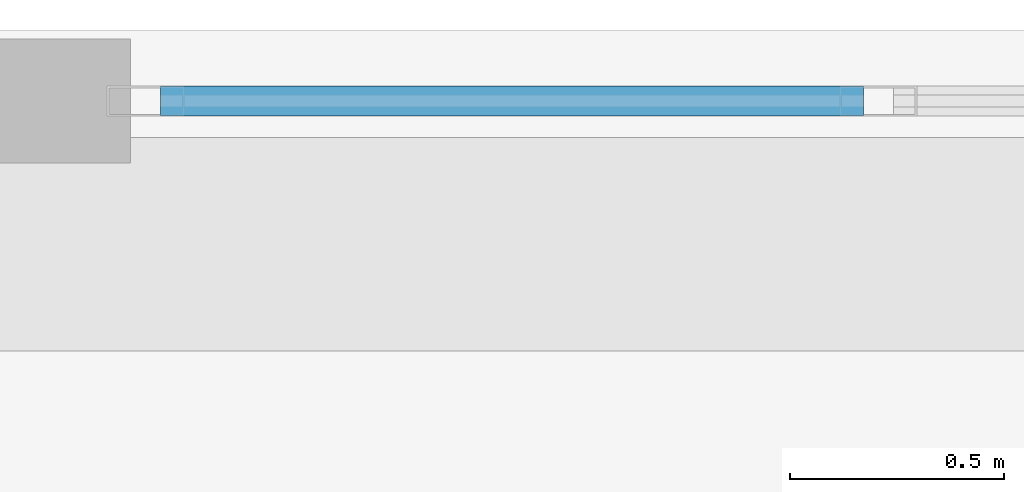
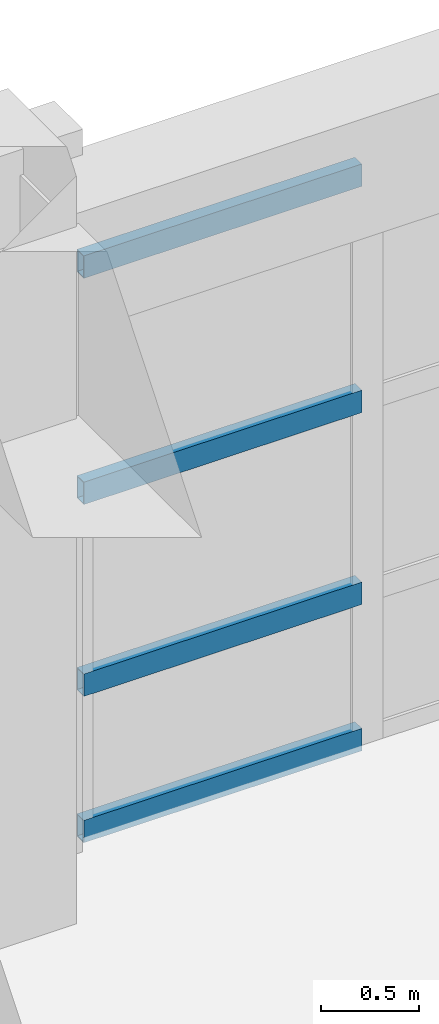
# One storey, part 73 of 123: 4 members, 1 element without a shape of its own.
"""IFC4 building model written with IfcOpenShell, lengths in metres."""

from ifc_helpers import new_model, si_unit, direction, frame, origin, origin_2d, place, context, subcontext, project, spatial, hollow_rectangle, extrude, material, layer, layer_set, material_profile, profile_set, type_object, element, aggregate, save


model = new_model("IFC4")

# Units and contexts
model_context = context("Model", 3, precision=1e-05, world=origin(), true_north=direction((0.0, 1.0)))
body_context = subcontext(model_context, "Body", "Model", "MODEL_VIEW")
ifc_project = project(units=[si_unit("LENGTHUNIT", "METRE"), si_unit("AREAUNIT", "SQUARE_METRE"), si_unit("VOLUMEUNIT", "CUBIC_METRE"), si_unit("PLANEANGLEUNIT", "RADIAN"), si_unit("MASSUNIT", "GRAM", prefix="KILO")], contexts=[model_context])

# Site, building, storey
site_placement = place(None, origin())
site = spatial("IfcSite", under=ifc_project, at=site_placement, CompositionType="ELEMENT")
building_placement = place(site_placement, origin())
building = spatial("IfcBuilding", under=site, at=building_placement, Name="Quendrovan Civic Courthouse", CompositionType="ELEMENT")
storey_placement = place(building_placement, frame((0.0, 0.0, 5.39990234375)))
storey = spatial("IfcBuildingStorey", under=building, at=storey_placement, Name="L02", CompositionType="ELEMENT", Elevation=5.39990234375)

# Curtain wall, members
ifc_material_1 = material(Name="Bronze anodised aluminium and low-E glass", Category="aluminium")
ifc_layer = layer(ifc_material_1, 0.179931640625, Name="Bronze anodised aluminium and low-E glass")
ifc_layer_set = layer_set([ifc_layer], Name="Bronze anodised aluminium and low-E glass")
curtain_wall_type = type_object("IfcCurtainWallType", Name="CW-U70x36", PredefinedType="USERDEFINED", material=ifc_layer_set)
curtain_wall_placement = place(storey_placement, origin())
curtain_wall = element("IfcCurtainWall", 1, at=curtain_wall_placement, inside=storey, type_object=curtain_wall_type, Name="L02 Unitised Hurricane Curtain Wall CW-092", ObjectType="UNITISED CURTAIN WALL", PredefinedType="USERDEFINED")
ifc_material_2 = material(Name="Bronze anodised aluminium", Category="aluminium")
ifc_material_profile = material_profile(ifc_material_2, hollow_rectangle(XDim=0.070068359375, YDim=0.139892578125, WallThickness=0.00390625, at=origin_2d()), Name="CW-TRAN-70x140")
ifc_profile_set = profile_set([ifc_material_profile], Name="Bronze anodised aluminium")
member_type = type_object("IfcMemberType", Name="CW-TRAN-A", PredefinedType="USERDEFINED", material=ifc_profile_set)
member_1_placement = place(storey_placement, frame((126.77001953125, 110.235107421875, 0.03515625), z_axis=(1.0, 0.0, 0.0), x_axis=(0.0, 1.0, 0.0)))
member_1 = element("IfcMember", 2, at=member_1_placement, type_object=member_type, Name="CW-092 transom 1.1", ObjectType="TRANSOM", PredefinedType="USERDEFINED", context=body_context, shape_type="SweptSolid", body=[
    extrude(hollow_rectangle(XDim=0.070068359375, YDim=0.139892578125, WallThickness=0.00390625, at=origin_2d()), origin(), (0.0, 0.0, 1.0), 1.64501953125),
])
member_2_placement = place(storey_placement, frame((126.77001953125, 110.235107421875, 0.9501953125), z_axis=(1.0, 0.0, 0.0), x_axis=(0.0, 1.0, 0.0)))
member_2 = element("IfcMember", 3, at=member_2_placement, type_object=member_type, Name="CW-092 transom 1.2", ObjectType="TRANSOM", PredefinedType="USERDEFINED", context=body_context, shape_type="SweptSolid", body=[
    extrude(hollow_rectangle(XDim=0.070068359375, YDim=0.139892578125, WallThickness=0.00390625, at=origin_2d()), origin(), (0.0, 0.0, 1.0), 1.64501953125),
])
member_3_placement = place(storey_placement, frame((126.77001953125, 110.235107421875, 2.150146484375), z_axis=(1.0, 0.0, 0.0), x_axis=(0.0, 1.0, 0.0)))
member_3 = element("IfcMember", 4, at=member_3_placement, type_object=member_type, Name="CW-092 transom 1.3", ObjectType="TRANSOM", PredefinedType="USERDEFINED", context=body_context, shape_type="SweptSolid", body=[
    extrude(hollow_rectangle(XDim=0.070068359375, YDim=0.139892578125, WallThickness=0.00390625, at=origin_2d()), origin(), (0.0, 0.0, 1.0), 1.64501953125),
])
member_4_placement = place(storey_placement, frame((126.77001953125, 110.235107421875, 3.565185546875), z_axis=(1.0, 0.0, 0.0), x_axis=(0.0, 1.0, 0.0)))
member_4 = element("IfcMember", 5, at=member_4_placement, type_object=member_type, Name="CW-092 transom 1.4", ObjectType="TRANSOM", PredefinedType="USERDEFINED", context=body_context, shape_type="SweptSolid", body=[
    extrude(hollow_rectangle(XDim=0.070068359375, YDim=0.139892578125, WallThickness=0.00390625, at=origin_2d()), origin(), (0.0, 0.0, 1.0), 1.64501953125),
])
aggregate(curtain_wall, [member_1, member_2, member_3, member_4])

save(model, "model.ifc")
